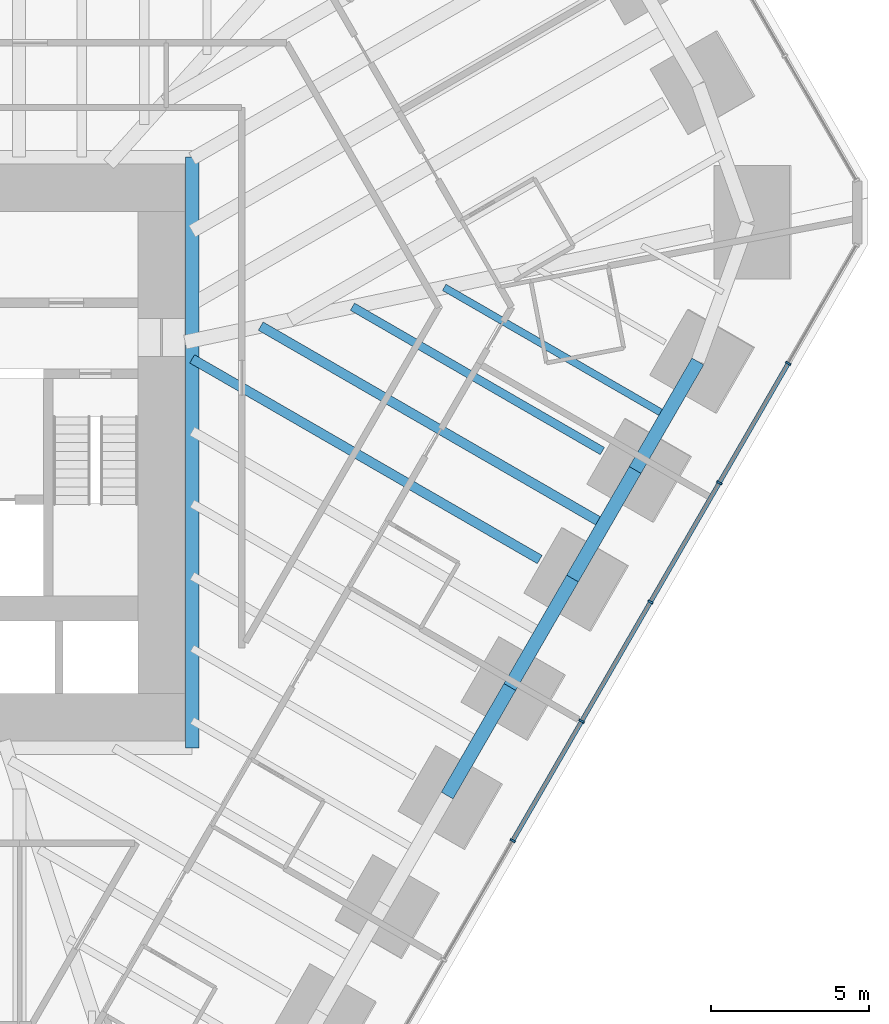
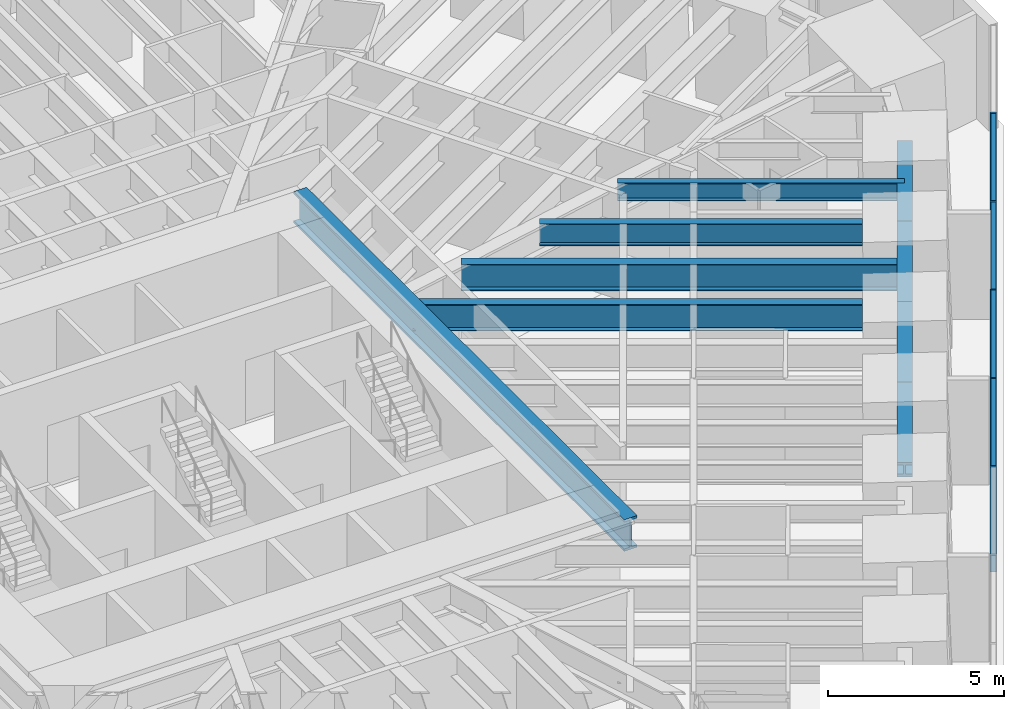
# One storey, part 6 of 17: 9 beams, 9 members, 1 element without a shape of its own.
"""IFC4 building model written with IfcOpenShell, lengths in metres."""

import ifcopenshell
import ifcopenshell.guid

model = None  # the IFC model being written
_history = None  # IfcOwnerHistory: only IFC2X3 demands one
_inside = {}  # id of a spatial element -> (the spatial element, [elements in it])
_under = {}  # id of a project, library or spatial element -> (it, [spatial elements below it])
_declared = {}  # id of a project -> (the project, [libraries it declares])
_typed = {}  # id of a type object -> (the type object, [elements of that type])
_made_of = {}  # id of a material, layer set ... -> (it, [elements and type objects made of it])


def new_model(schema):
    """Start an empty IFC model of exactly this schema.

    Asked for "IFC4X3", IfcOpenShell would pick the latest addendum, in which some entities
    have other attributes; the version numbers below select the first issue.
    IFC2X3 requires an IfcOwnerHistory on every rooted entity: one is made here for all.
    """
    global model, _history
    if schema == "IFC4X3":
        model = ifcopenshell.file(schema_version=(4, 3, 0, 0))
    else:
        model = ifcopenshell.file(schema=schema)
    _inside.clear()
    _under.clear()
    _declared.clear()
    _typed.clear()
    _made_of.clear()
    _history = None
    if model.schema == "IFC2X3":
        org = make("IfcOrganization", Name="unknown")
        user = make(
            "IfcPersonAndOrganization",
            ThePerson=make("IfcPerson", FamilyName="unknown"),
            TheOrganization=org,
        )
        app = make(
            "IfcApplication",
            ApplicationDeveloper=org,
            Version="unknown",
            ApplicationFullName="unknown",
            ApplicationIdentifier="unknown",
        )
        _history = make(
            "IfcOwnerHistory",
            OwningUser=user,
            OwningApplication=app,
            ChangeAction="ADDED",
            CreationDate=0,
        )
    return model


def make(cls, **values):
    """One entity of the class cls with the attributes given. An attribute that is None is left unset."""
    return model.create_entity(
        cls, **{name: value for name, value in values.items() if value is not None}
    )


def rooted(cls, **values):
    """An entity with a GlobalId (a new one), such as an element, a storey or a relation."""
    return make(cls, GlobalId=ifcopenshell.guid.new(), OwnerHistory=_history, **values)


def si_unit(unit_type, name, prefix=None):
    """IfcSIUnit, for example si_unit("LENGTHUNIT", "METRE", prefix="MILLI")."""
    return make("IfcSIUnit", UnitType=unit_type, Prefix=prefix, Name=name)


def assignment(units):
    """IfcUnitAssignment: the units of a project."""
    return None if units is None else make("IfcUnitAssignment", Units=units)


def point(xyz):
    """IfcCartesianPoint."""
    return None if xyz is None else make("IfcCartesianPoint", Coordinates=xyz)


def direction(xyz):
    """IfcDirection."""
    return None if xyz is None else make("IfcDirection", DirectionRatios=xyz)


def frame(location, z_axis=None, x_axis=None):
    """IfcAxis2Placement3D, a coordinate frame: its origin and axes. An axis left out is left unset."""
    return make(
        "IfcAxis2Placement3D",
        Location=point(location),
        Axis=direction(z_axis),
        RefDirection=direction(x_axis),
    )


def frame_2d(location, x_axis=None):
    """IfcAxis2Placement2D, a coordinate frame in the plane: its origin and x axis."""
    return make(
        "IfcAxis2Placement2D", Location=point(location), RefDirection=direction(x_axis)
    )


def origin():
    """The frame at (0, 0, 0) with its axes left unset."""
    return frame((0.0, 0.0, 0.0))


def origin_2d():
    """The frame at (0, 0) in the plane with its x axis left unset."""
    return frame_2d((0.0, 0.0))


def place(relative_to, where):
    """IfcLocalPlacement: puts the frame where relative to a parent placement (None: the world)."""
    return make(
        "IfcLocalPlacement", PlacementRelTo=relative_to, RelativePlacement=where
    )


def context(
    kind, dimensions, precision=None, world=None, true_north=None, identifier=None
):
    """IfcGeometricRepresentationContext, for example the 3D "Model" context."""
    return make(
        "IfcGeometricRepresentationContext",
        ContextIdentifier=identifier,
        ContextType=kind,
        CoordinateSpaceDimension=dimensions,
        Precision=precision,
        WorldCoordinateSystem=world,
        TrueNorth=true_north,
    )


def subcontext(parent, identifier, kind, view, scale=None):
    """IfcGeometricRepresentationSubContext, for example "Body" below "Model"."""
    return make(
        "IfcGeometricRepresentationSubContext",
        ContextIdentifier=identifier,
        ContextType=kind,
        ParentContext=parent,
        TargetScale=scale,
        TargetView=view,
    )


def project(units=None, contexts=None):
    """IfcProject with its units and contexts."""
    return rooted(
        "IfcProject",
        Name="project",
        RepresentationContexts=contexts,
        UnitsInContext=assignment(units),
    )


def spatial(cls, under=None, at=None, **own):
    """A site, building, storey or space (cls), placed at a placement, below another one or the project."""
    s = rooted(cls, ObjectPlacement=at, **own)
    if under is not None:
        _under.setdefault(under.id(), (under, []))[1].append(s)
    return s


def profile(cls, at=None, kind="AREA", **sizes):
    """A parametric profile (cls). Its sizes go by their IFC names, for example OverallWidth=200.0."""
    return make(cls, ProfileType=kind, Position=at, **sizes)


def rectangle(**sizes):
    """IfcRectangleProfileDef."""
    return profile("IfcRectangleProfileDef", **sizes)


def i_section(**sizes):
    """IfcIShapeProfileDef."""
    return profile("IfcIShapeProfileDef", **sizes)


def extrude(swept, where, along, depth):
    """IfcExtrudedAreaSolid: the profile swept, set in the frame where, extruded along a direction by depth."""
    return make(
        "IfcExtrudedAreaSolid",
        SweptArea=swept,
        Position=where,
        ExtrudedDirection=direction(along),
        Depth=depth,
    )


def shape(context_of_items, identifier, shape_type, items):
    """IfcShapeRepresentation: the items that make up one representation, for example the "Body"."""
    return make(
        "IfcShapeRepresentation",
        ContextOfItems=context_of_items,
        RepresentationIdentifier=identifier,
        RepresentationType=shape_type,
        Items=items,
    )


def material(Name=None, Category=None):
    """IfcMaterial."""
    return make("IfcMaterial", Name=Name, Category=Category)


def material_profile(
    of_material, cross_section, Name=None, Category=None, Priority=None
):
    """IfcMaterialProfile: a cross section and its material."""
    return make(
        "IfcMaterialProfile",
        Name=Name,
        Material=of_material,
        Profile=cross_section,
        Priority=Priority,
        Category=Category,
    )


def profile_set(profiles, Name=None, composite=None):
    """IfcMaterialProfileSet."""
    return make(
        "IfcMaterialProfileSet",
        Name=Name,
        MaterialProfiles=profiles,
        CompositeProfile=composite,
    )


def made_of(thing, what):
    """Note that an element or type object is made of a material, layer set ...; save() writes the relation."""
    if what is not None:
        _made_of.setdefault(what.id(), (what, []))[1].append(thing)
    return thing


def type_object(cls, material=None, **own):
    """A type object (cls), such as IfcWallType, which elements share."""
    return made_of(rooted(cls, **own), material)


def element(
    cls,
    number,
    at=None,
    inside=None,
    cuts=None,
    type_object=None,
    material=None,
    context=None,
    identifier="Body",
    shape_type=None,
    held_by="IfcProductDefinitionShape",
    body=None,
    shapes=None,
    **own,
):
    """One element of the class cls, such as IfcWall. Its Tag is "e" and its number.

    at: its placement. inside: the storey or other place that contains it. cuts: it is an
    opening in that element (IfcRelVoidsElement). A single representation is given by context,
    identifier, shape_type and body (its items); several are given by shapes. held_by: the class
    of the entity that holds the representations. save() writes the other relations.
    """
    e = rooted(cls, Tag="e%d" % number, ObjectPlacement=at, **own)
    if body is not None:
        shapes = [shape(context, identifier, shape_type, body)]
    if shapes is not None:
        e.Representation = make(held_by, Representations=shapes)
    if inside is not None:
        _inside.setdefault(inside.id(), (inside, []))[1].append(e)
    if cuts is not None:
        rooted(
            "IfcRelVoidsElement", RelatingBuildingElement=cuts, RelatedOpeningElement=e
        )
    if type_object is not None:
        _typed.setdefault(type_object.id(), (type_object, []))[1].append(e)
    return made_of(e, material)


def aggregate(whole, parts):
    """IfcRelAggregates: a whole, such as a stair, and the parts it consists of."""
    return rooted("IfcRelAggregates", RelatingObject=whole, RelatedObjects=parts)


def save(model, path):
    """Write the relations noted so far, then the file.

    IfcRelAggregates (storeys below a building ...), IfcRelContainedInSpatialStructure (elements
    in a storey), IfcRelDefinesByType, IfcRelAssociatesMaterial and IfcRelDeclares: one each for
    every whole, place, type object, material and project.
    """
    for whole, parts in _under.values():
        aggregate(whole, parts)
    for where, things in _inside.values():
        rooted(
            "IfcRelContainedInSpatialStructure",
            RelatedElements=things,
            RelatingStructure=where,
        )
    for kind, things in _typed.values():
        rooted("IfcRelDefinesByType", RelatedObjects=things, RelatingType=kind)
    for what, things in _made_of.values():
        rooted("IfcRelAssociatesMaterial", RelatedObjects=things, RelatingMaterial=what)
    for by, libraries in _declared.values():
        rooted("IfcRelDeclares", RelatingContext=by, RelatedDefinitions=libraries)
    model.write(path)


model = new_model("IFC4")

# Units and contexts
model_context = context("Model", 3, precision=1e-05, world=origin(), true_north=direction((0.0, 1.0)))
body_context = subcontext(model_context, "Body", "Model", "MODEL_VIEW")
ifc_project = project(units=[si_unit("LENGTHUNIT", "METRE"), si_unit("AREAUNIT", "SQUARE_METRE"), si_unit("VOLUMEUNIT", "CUBIC_METRE"), si_unit("PLANEANGLEUNIT", "RADIAN"), si_unit("MASSUNIT", "GRAM", prefix="KILO")], contexts=[model_context])

# Site, building, storey
site_placement = place(None, origin())
site = spatial("IfcSite", under=ifc_project, at=site_placement, CompositionType="ELEMENT")
building_placement = place(site_placement, origin())
building = spatial("IfcBuilding", under=site, at=building_placement, Name="Sandreach Pilgrim Tower", CompositionType="ELEMENT")
storey_placement = place(building_placement, frame((0.0, 0.0, 87.60009765625)))
storey = spatial("IfcBuildingStorey", under=building, at=storey_placement, Name="L21", CompositionType="ELEMENT", Elevation=87.60009765625)

# Beams
ifc_material_1 = material(Name="Steel ASTM A913 Grade 65", Category="steel")
ifc_material_profile_1 = material_profile(ifc_material_1, i_section(OverallWidth=0.431884765625, OverallDepth=0.497802734375, WebThickness=0.0556640625, FlangeThickness=0.0888671875, at=origin_2d()), Name="W14X500")
ifc_profile_set_1 = profile_set([ifc_material_profile_1], Name="Steel ASTM A913 Grade 65")
beam_type_1 = type_object("IfcBeamType", Name="Belt truss chord W14X500", PredefinedType="BEAM", material=ifc_profile_set_1)
beam_1_placement = place(storey_placement, frame((25.520263671875, 1.337890625, 3.390869140625), z_axis=(-0.500014721933, -0.866016903906, 0.0), x_axis=(0.866016903906, -0.500014721933, 0.0)))
element("IfcBeam", 1, at=beam_1_placement, inside=storey, type_object=beam_type_1, Name="BM L21 BTB14", PredefinedType="BEAM", context=body_context, shape_type="SweptSolid", body=[
    extrude(i_section(OverallWidth=0.431884765625, OverallDepth=0.497802734375, WebThickness=0.0556640625, FlangeThickness=0.0888671875, at=origin_2d()), origin(), (0.0, 0.0, 1.0), 3.97705078125),
])
beam_2_placement = place(storey_placement, frame((23.53173828125, -2.106201171875, 3.390869140625), z_axis=(-0.499995262016, -0.866028139243, 0.0), x_axis=(0.866028139243, -0.499995262016, 0.0)))
element("IfcBeam", 2, at=beam_2_placement, inside=storey, type_object=beam_type_1, Name="BM L21 BTB15", PredefinedType="BEAM", context=body_context, shape_type="SweptSolid", body=[
    extrude(i_section(OverallWidth=0.431884765625, OverallDepth=0.497802734375, WebThickness=0.0556640625, FlangeThickness=0.0888671875, at=origin_2d()), origin(), (0.0, 0.0, 1.0), 3.9765625),
])
beam_3_placement = place(storey_placement, frame((21.54345703125, -5.550048828125, 3.390869140625), z_axis=(-0.500014721933, -0.866016903906, 0.0), x_axis=(0.866016903906, -0.500014721933, 0.0)))
element("IfcBeam", 3, at=beam_3_placement, inside=storey, type_object=beam_type_1, Name="BM L21 BTB16", PredefinedType="BEAM", context=body_context, shape_type="SweptSolid", body=[
    extrude(i_section(OverallWidth=0.431884765625, OverallDepth=0.497802734375, WebThickness=0.0556640625, FlangeThickness=0.0888671875, at=origin_2d()), origin(), (0.0, 0.0, 1.0), 3.97705078125),
])
beam_4_placement = place(storey_placement, frame((19.554931640625, -8.994140625, 3.390869140625), z_axis=(-0.499995262016, -0.866028139243, 0.0), x_axis=(0.866028139243, -0.499995262016, 0.0)))
element("IfcBeam", 4, at=beam_4_placement, inside=storey, type_object=beam_type_1, Name="BM L21 BTB17", PredefinedType="BEAM", context=body_context, shape_type="SweptSolid", body=[
    extrude(i_section(OverallWidth=0.431884765625, OverallDepth=0.497802734375, WebThickness=0.0556640625, FlangeThickness=0.0888671875, at=origin_2d()), origin(), (0.0, 0.0, 1.0), 3.9765625),
])

# Curtain wall, members
ifc_material_2 = material(Name="Aluminium framed curtain wall", Category="aluminium")
curtain_wall_type = type_object("IfcCurtainWallType", Name="Hostel tower curtain wall", PredefinedType="NOTDEFINED", material=ifc_material_2)
curtain_wall_placement = place(storey_placement, origin())
curtain_wall = element("IfcCurtainWall", 5, at=curtain_wall_placement, inside=storey, type_object=curtain_wall_type, Name="CW-1 L21 SE", PredefinedType="NOTDEFINED")
ifc_material_3 = material(Name="Aluminium extrusion", Category="aluminium")
ifc_material_profile_2 = material_profile(ifc_material_3, rectangle(XDim=0.06494140625, YDim=0.179931640625, at=origin_2d()), Name="CW-1M 65X180")
ifc_profile_set_2 = profile_set([ifc_material_profile_2], Name="Aluminium extrusion")
member_type_1 = type_object("IfcMemberType", Name="CW-1 mullion", PredefinedType="MULLION", material=ifc_profile_set_2)
member_1_placement = place(storey_placement, frame((28.390380859375, 1.2763671875, 0.0), z_axis=(0.0, 0.0, 1.0), x_axis=(-0.5, -0.866025403784, 0.0)))
member_1 = element("IfcMember", 6, at=member_1_placement, type_object=member_type_1, Name="CW-1 mullion 2", PredefinedType="MULLION", context=body_context, shape_type="SweptSolid", body=[
    extrude(rectangle(XDim=0.06494140625, YDim=0.179931640625, at=origin_2d()), origin(), (0.0, 0.0, 1.0), 3.639892578125),
])
member_2_placement = place(storey_placement, frame((26.20458984375, -2.509521484375, 0.0), z_axis=(0.0, 0.0, 1.0), x_axis=(-0.5, -0.866025403784, 0.0)))
member_2 = element("IfcMember", 7, at=member_2_placement, type_object=member_type_1, Name="CW-1 mullion 3", PredefinedType="MULLION", context=body_context, shape_type="SweptSolid", body=[
    extrude(rectangle(XDim=0.06494140625, YDim=0.179931640625, at=origin_2d()), origin(), (0.0, 0.0, 1.0), 3.639892578125),
])
member_3_placement = place(storey_placement, frame((24.018798828125, -6.29541015625, 0.0), z_axis=(0.0, 0.0, 1.0), x_axis=(-0.5, -0.866025403784, 0.0)))
member_3 = element("IfcMember", 8, at=member_3_placement, type_object=member_type_1, Name="CW-1 mullion 4", PredefinedType="MULLION", context=body_context, shape_type="SweptSolid", body=[
    extrude(rectangle(XDim=0.06494140625, YDim=0.179931640625, at=origin_2d()), origin(), (0.0, 0.0, 1.0), 3.639892578125),
])
member_4_placement = place(storey_placement, frame((21.8330078125, -10.081298828125, 0.0), z_axis=(0.0, 0.0, 1.0), x_axis=(-0.5, -0.866025403784, 0.0)))
member_4 = element("IfcMember", 9, at=member_4_placement, type_object=member_type_1, Name="CW-1 mullion 5", PredefinedType="MULLION", context=body_context, shape_type="SweptSolid", body=[
    extrude(rectangle(XDim=0.06494140625, YDim=0.179931640625, at=origin_2d()), origin(), (0.0, 0.0, 1.0), 3.639892578125),
])
member_5_placement = place(storey_placement, frame((19.647216796875, -13.8671875, 0.0), z_axis=(0.0, 0.0, 1.0), x_axis=(-0.5, -0.866025403784, 0.0)))
member_5 = element("IfcMember", 10, at=member_5_placement, type_object=member_type_1, Name="CW-1 mullion 6", PredefinedType="MULLION", context=body_context, shape_type="SweptSolid", body=[
    extrude(rectangle(XDim=0.06494140625, YDim=0.179931640625, at=origin_2d()), origin(), (0.0, 0.0, 1.0), 3.639892578125),
])
ifc_material_4 = material(Name="Aluminium extrusion", Category="aluminium")
ifc_material_profile_3 = material_profile(ifc_material_4, rectangle(XDim=0.139892578125, YDim=0.070068359375, at=origin_2d()), Name="CW-1T 140X70")
ifc_profile_set_3 = profile_set([ifc_material_profile_3], Name="Aluminium extrusion")
member_type_2 = type_object("IfcMemberType", Name="CW-1 transom", PredefinedType="USERDEFINED", material=ifc_profile_set_3)
member_6_placement = place(storey_placement, frame((28.374267578125, 1.248046875, 3.60498046875), z_axis=(-0.500016891966, -0.866015650984, 0.0), x_axis=(0.866015650984, -0.500016891966, 0.0)))
member_6 = element("IfcMember", 11, at=member_6_placement, type_object=member_type_2, Name="CW-1 head transom 2", ObjectType="TRANSOM", PredefinedType="USERDEFINED", context=body_context, shape_type="SweptSolid", body=[
    extrude(rectangle(XDim=0.139892578125, YDim=0.070068359375, at=origin_2d()), origin(), (0.0, 0.0, 1.0), 4.306396484375),
])
member_7_placement = place(storey_placement, frame((26.1884765625, -2.537841796875, 3.60498046875), z_axis=(-0.500016891966, -0.866015650984, 0.0), x_axis=(0.866015650984, -0.500016891966, 0.0)))
member_7 = element("IfcMember", 12, at=member_7_placement, type_object=member_type_2, Name="CW-1 head transom 3", ObjectType="TRANSOM", PredefinedType="USERDEFINED", context=body_context, shape_type="SweptSolid", body=[
    extrude(rectangle(XDim=0.139892578125, YDim=0.070068359375, at=origin_2d()), origin(), (0.0, 0.0, 1.0), 4.306396484375),
])
member_8_placement = place(storey_placement, frame((24.002685546875, -6.32373046875, 3.60498046875), z_axis=(-0.500016891966, -0.866015650984, 0.0), x_axis=(0.866015650984, -0.500016891966, 0.0)))
member_8 = element("IfcMember", 13, at=member_8_placement, type_object=member_type_2, Name="CW-1 head transom 4", ObjectType="TRANSOM", PredefinedType="USERDEFINED", context=body_context, shape_type="SweptSolid", body=[
    extrude(rectangle(XDim=0.139892578125, YDim=0.070068359375, at=origin_2d()), origin(), (0.0, 0.0, 1.0), 4.306396484375),
])
member_9_placement = place(storey_placement, frame((21.81689453125, -10.109619140625, 3.60498046875), z_axis=(-0.500016891966, -0.866015650984, 0.0), x_axis=(0.866015650984, -0.500016891966, 0.0)))
member_9 = element("IfcMember", 14, at=member_9_placement, type_object=member_type_2, Name="CW-1 head transom 5", ObjectType="TRANSOM", PredefinedType="USERDEFINED", context=body_context, shape_type="SweptSolid", body=[
    extrude(rectangle(XDim=0.139892578125, YDim=0.070068359375, at=origin_2d()), origin(), (0.0, 0.0, 1.0), 4.306396484375),
])
aggregate(curtain_wall, [member_1, member_2, member_3, member_4, member_5, member_6, member_7, member_8, member_9])

# Beams
ifc_material_5 = material(Name="Steel ASTM A992 Grade 50", Category="steel")
ifc_material_profile_4 = material_profile(ifc_material_5, i_section(OverallWidth=0.424072265625, OverallDepth=1.09228515625, WebThickness=0.04541015625, FlangeThickness=0.08203125, at=origin_2d()), Name="W40X593")
ifc_profile_set_4 = profile_set([ifc_material_profile_4], Name="Steel ASTM A992 Grade 50")
beam_type_2 = type_object("IfcBeamType", Name="Core edge beam W40X593", PredefinedType="BEAM", material=ifc_profile_set_4)
beam_5_placement = place(storey_placement, frame((9.47216796875, 7.822021484375, 3.09375), z_axis=(0.0, -1.0, 0.0), x_axis=(1.0, 0.0, 0.0)))
element("IfcBeam", 15, at=beam_5_placement, inside=storey, type_object=beam_type_2, Name="BM L21 CEE", PredefinedType="BEAM", context=body_context, shape_type="SweptSolid", body=[
    extrude(i_section(OverallWidth=0.424072265625, OverallDepth=1.09228515625, WebThickness=0.04541015625, FlangeThickness=0.08203125, at=origin_2d()), origin(), (0.0, 0.0, 1.0), 18.744140625),
])
ifc_material_6 = material(Name="Steel ASTM A992 Grade 50", Category="steel")
ifc_material_profile_5 = material_profile(ifc_material_6, i_section(OverallWidth=0.23046875, OverallDepth=0.6171875, WebThickness=0.01318359375, FlangeThickness=0.022216796875, at=origin_2d()), Name="W24X94")
ifc_profile_set_5 = profile_set([ifc_material_profile_5], Name="Steel ASTM A992 Grade 50")
beam_type_3 = type_object("IfcBeamType", Name="Floor beam W24X94", PredefinedType="BEAM", material=ifc_profile_set_5)
beam_6_placement = place(storey_placement, frame((24.52587890625, -0.384033203125, 3.331298828125), z_axis=(-0.866032360344, 0.499987950692, 0.0), x_axis=(-0.499987950692, -0.866032360344, 0.0)))
element("IfcBeam", 16, at=beam_6_placement, inside=storey, type_object=beam_type_3, Name="BM L21 FM14", PredefinedType="BEAM", context=body_context, shape_type="SweptSolid", body=[
    extrude(i_section(OverallWidth=0.23046875, OverallDepth=0.6171875, WebThickness=0.01318359375, FlangeThickness=0.022216796875, at=origin_2d()), origin(), (0.0, 0.0, 1.0), 8.145751953125),
])
ifc_material_7 = material(Name="Steel ASTM A992 Grade 50", Category="steel")
ifc_material_profile_6 = material_profile(ifc_material_7, i_section(OverallWidth=0.2666015625, OverallDepth=0.761962890625, WebThickness=0.014404296875, FlangeThickness=0.021484375, at=origin_2d()), Name="W30X116")
ifc_profile_set_6 = profile_set([ifc_material_profile_6], Name="Steel ASTM A992 Grade 50")
beam_type_4 = type_object("IfcBeamType", Name="Floor beam W30X116", PredefinedType="BEAM", material=ifc_profile_set_6)
beam_7_placement = place(storey_placement, frame((22.492431640625, -1.506103515625, 3.2587890625), z_axis=(-0.866023583738, 0.5000031524, 0.0), x_axis=(-0.5000031524, -0.866023583738, 0.0)))
element("IfcBeam", 17, at=beam_7_placement, inside=storey, type_object=beam_type_4, Name="BM L21 F15", PredefinedType="BEAM", context=body_context, shape_type="SweptSolid", body=[
    extrude(i_section(OverallWidth=0.2666015625, OverallDepth=0.761962890625, WebThickness=0.014404296875, FlangeThickness=0.021484375, at=origin_2d()), origin(), (0.0, 0.0, 1.0), 9.16015625),
])
ifc_material_8 = material(Name="Steel ASTM A992 Grade 50", Category="steel")
ifc_material_profile_7 = material_profile(ifc_material_8, i_section(OverallWidth=0.3046875, OverallDepth=0.914306640625, WebThickness=0.0166015625, FlangeThickness=0.02587890625, at=origin_2d()), Name="W36X160")
ifc_profile_set_7 = profile_set([ifc_material_profile_7], Name="Steel ASTM A992 Grade 50")
beam_type_5 = type_object("IfcBeamType", Name="Floor beam W36X160", PredefinedType="BEAM", material=ifc_profile_set_7)
beam_8_placement = place(storey_placement, frame((20.504150390625, -4.9501953125, 3.1826171875), z_axis=(-0.866023134992, 0.500003929644, 0.0), x_axis=(-0.500003929644, -0.866023134992, 0.0)))
element("IfcBeam", 18, at=beam_8_placement, inside=storey, type_object=beam_type_5, Name="BM L21 F16", PredefinedType="BEAM", context=body_context, shape_type="SweptSolid", body=[
    extrude(i_section(OverallWidth=0.3046875, OverallDepth=0.914306640625, WebThickness=0.0166015625, FlangeThickness=0.02587890625, at=origin_2d()), origin(), (0.0, 0.0, 1.0), 12.73876953125),
])
beam_9_placement = place(storey_placement, frame((22.53759765625, -3.828125, 3.1826171875), z_axis=(-0.866022955265, 0.500004240936, 0.0), x_axis=(-0.500004240936, -0.866022955265, 0.0)))
element("IfcBeam", 19, at=beam_9_placement, inside=storey, type_object=beam_type_5, Name="BM L21 FM15", PredefinedType="BEAM", context=body_context, shape_type="SweptSolid", body=[
    extrude(i_section(OverallWidth=0.3046875, OverallDepth=0.914306640625, WebThickness=0.0166015625, FlangeThickness=0.02587890625, at=origin_2d()), origin(), (0.0, 0.0, 1.0), 12.57470703125),
])

save(model, "model.ifc")
